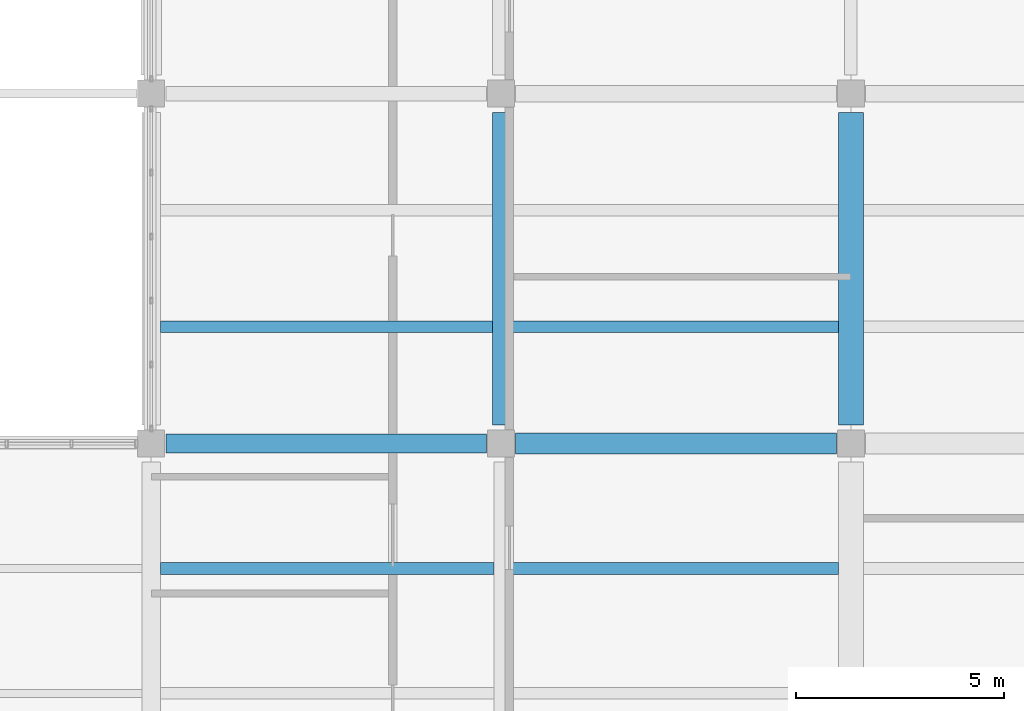
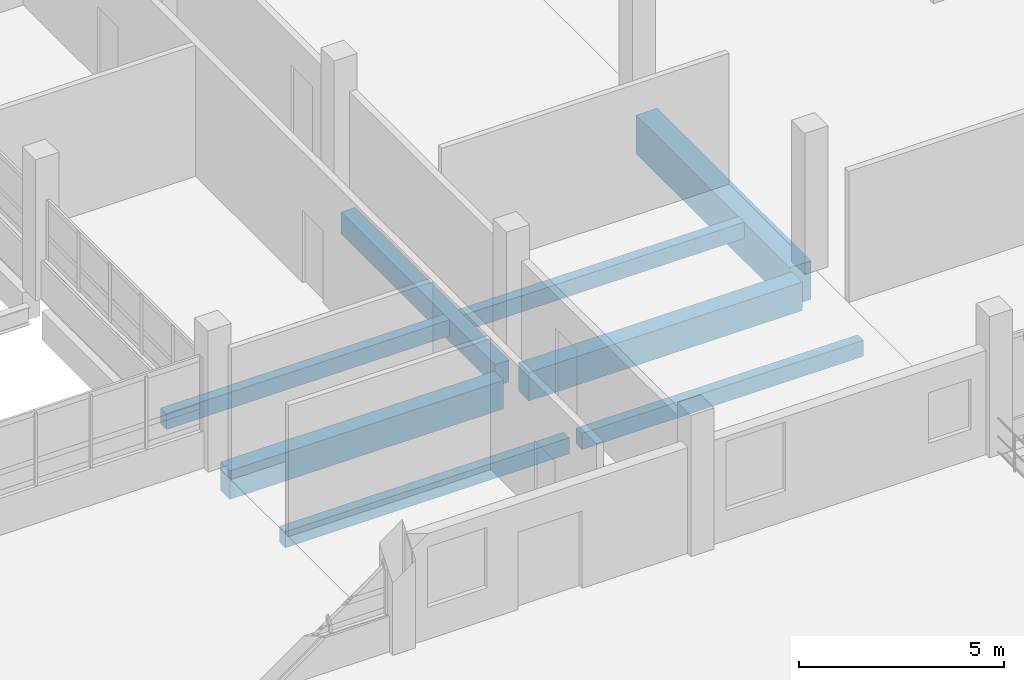
# One storey, part 23 of 101: 8 beams.
"""IFC4 building model written with IfcOpenShell, lengths in metres."""

import ifcopenshell
import ifcopenshell.guid

model = None  # the IFC model being written
_history = None  # IfcOwnerHistory: only IFC2X3 demands one
_inside = {}  # id of a spatial element -> (the spatial element, [elements in it])
_under = {}  # id of a project, library or spatial element -> (it, [spatial elements below it])
_declared = {}  # id of a project -> (the project, [libraries it declares])
_typed = {}  # id of a type object -> (the type object, [elements of that type])
_made_of = {}  # id of a material, layer set ... -> (it, [elements and type objects made of it])


def new_model(schema):
    """Start an empty IFC model of exactly this schema.

    Asked for "IFC4X3", IfcOpenShell would pick the latest addendum, in which some entities
    have other attributes; the version numbers below select the first issue.
    IFC2X3 requires an IfcOwnerHistory on every rooted entity: one is made here for all.
    """
    global model, _history
    if schema == "IFC4X3":
        model = ifcopenshell.file(schema_version=(4, 3, 0, 0))
    else:
        model = ifcopenshell.file(schema=schema)
    _inside.clear()
    _under.clear()
    _declared.clear()
    _typed.clear()
    _made_of.clear()
    _history = None
    if model.schema == "IFC2X3":
        org = make("IfcOrganization", Name="unknown")
        user = make(
            "IfcPersonAndOrganization",
            ThePerson=make("IfcPerson", FamilyName="unknown"),
            TheOrganization=org,
        )
        app = make(
            "IfcApplication",
            ApplicationDeveloper=org,
            Version="unknown",
            ApplicationFullName="unknown",
            ApplicationIdentifier="unknown",
        )
        _history = make(
            "IfcOwnerHistory",
            OwningUser=user,
            OwningApplication=app,
            ChangeAction="ADDED",
            CreationDate=0,
        )
    return model


def make(cls, **values):
    """One entity of the class cls with the attributes given. An attribute that is None is left unset."""
    return model.create_entity(
        cls, **{name: value for name, value in values.items() if value is not None}
    )


def rooted(cls, **values):
    """An entity with a GlobalId (a new one), such as an element, a storey or a relation."""
    return make(cls, GlobalId=ifcopenshell.guid.new(), OwnerHistory=_history, **values)


def si_unit(unit_type, name, prefix=None):
    """IfcSIUnit, for example si_unit("LENGTHUNIT", "METRE", prefix="MILLI")."""
    return make("IfcSIUnit", UnitType=unit_type, Prefix=prefix, Name=name)


def assignment(units):
    """IfcUnitAssignment: the units of a project."""
    return None if units is None else make("IfcUnitAssignment", Units=units)


def point(xyz):
    """IfcCartesianPoint."""
    return None if xyz is None else make("IfcCartesianPoint", Coordinates=xyz)


def direction(xyz):
    """IfcDirection."""
    return None if xyz is None else make("IfcDirection", DirectionRatios=xyz)


def frame(location, z_axis=None, x_axis=None):
    """IfcAxis2Placement3D, a coordinate frame: its origin and axes. An axis left out is left unset."""
    return make(
        "IfcAxis2Placement3D",
        Location=point(location),
        Axis=direction(z_axis),
        RefDirection=direction(x_axis),
    )


def frame_2d(location, x_axis=None):
    """IfcAxis2Placement2D, a coordinate frame in the plane: its origin and x axis."""
    return make(
        "IfcAxis2Placement2D", Location=point(location), RefDirection=direction(x_axis)
    )


def origin():
    """The frame at (0, 0, 0) with its axes left unset."""
    return frame((0.0, 0.0, 0.0))


def origin_2d():
    """The frame at (0, 0) in the plane with its x axis left unset."""
    return frame_2d((0.0, 0.0))


def place(relative_to, where):
    """IfcLocalPlacement: puts the frame where relative to a parent placement (None: the world)."""
    return make(
        "IfcLocalPlacement", PlacementRelTo=relative_to, RelativePlacement=where
    )


def context(
    kind, dimensions, precision=None, world=None, true_north=None, identifier=None
):
    """IfcGeometricRepresentationContext, for example the 3D "Model" context."""
    return make(
        "IfcGeometricRepresentationContext",
        ContextIdentifier=identifier,
        ContextType=kind,
        CoordinateSpaceDimension=dimensions,
        Precision=precision,
        WorldCoordinateSystem=world,
        TrueNorth=true_north,
    )


def subcontext(parent, identifier, kind, view, scale=None):
    """IfcGeometricRepresentationSubContext, for example "Body" below "Model"."""
    return make(
        "IfcGeometricRepresentationSubContext",
        ContextIdentifier=identifier,
        ContextType=kind,
        ParentContext=parent,
        TargetScale=scale,
        TargetView=view,
    )


def project(units=None, contexts=None):
    """IfcProject with its units and contexts."""
    return rooted(
        "IfcProject",
        Name="project",
        RepresentationContexts=contexts,
        UnitsInContext=assignment(units),
    )


def spatial(cls, under=None, at=None, **own):
    """A site, building, storey or space (cls), placed at a placement, below another one or the project."""
    s = rooted(cls, ObjectPlacement=at, **own)
    if under is not None:
        _under.setdefault(under.id(), (under, []))[1].append(s)
    return s


def profile(cls, at=None, kind="AREA", **sizes):
    """A parametric profile (cls). Its sizes go by their IFC names, for example OverallWidth=200.0."""
    return make(cls, ProfileType=kind, Position=at, **sizes)


def rectangle(**sizes):
    """IfcRectangleProfileDef."""
    return profile("IfcRectangleProfileDef", **sizes)


def extrude(swept, where, along, depth):
    """IfcExtrudedAreaSolid: the profile swept, set in the frame where, extruded along a direction by depth."""
    return make(
        "IfcExtrudedAreaSolid",
        SweptArea=swept,
        Position=where,
        ExtrudedDirection=direction(along),
        Depth=depth,
    )


def shape(context_of_items, identifier, shape_type, items):
    """IfcShapeRepresentation: the items that make up one representation, for example the "Body"."""
    return make(
        "IfcShapeRepresentation",
        ContextOfItems=context_of_items,
        RepresentationIdentifier=identifier,
        RepresentationType=shape_type,
        Items=items,
    )


def material(Name=None, Category=None):
    """IfcMaterial."""
    return make("IfcMaterial", Name=Name, Category=Category)


def material_profile(
    of_material, cross_section, Name=None, Category=None, Priority=None
):
    """IfcMaterialProfile: a cross section and its material."""
    return make(
        "IfcMaterialProfile",
        Name=Name,
        Material=of_material,
        Profile=cross_section,
        Priority=Priority,
        Category=Category,
    )


def profile_set(profiles, Name=None, composite=None):
    """IfcMaterialProfileSet."""
    return make(
        "IfcMaterialProfileSet",
        Name=Name,
        MaterialProfiles=profiles,
        CompositeProfile=composite,
    )


def made_of(thing, what):
    """Note that an element or type object is made of a material, layer set ...; save() writes the relation."""
    if what is not None:
        _made_of.setdefault(what.id(), (what, []))[1].append(thing)
    return thing


def type_object(cls, material=None, **own):
    """A type object (cls), such as IfcWallType, which elements share."""
    return made_of(rooted(cls, **own), material)


def element(
    cls,
    number,
    at=None,
    inside=None,
    cuts=None,
    type_object=None,
    material=None,
    context=None,
    identifier="Body",
    shape_type=None,
    held_by="IfcProductDefinitionShape",
    body=None,
    shapes=None,
    **own,
):
    """One element of the class cls, such as IfcWall. Its Tag is "e" and its number.

    at: its placement. inside: the storey or other place that contains it. cuts: it is an
    opening in that element (IfcRelVoidsElement). A single representation is given by context,
    identifier, shape_type and body (its items); several are given by shapes. held_by: the class
    of the entity that holds the representations. save() writes the other relations.
    """
    e = rooted(cls, Tag="e%d" % number, ObjectPlacement=at, **own)
    if body is not None:
        shapes = [shape(context, identifier, shape_type, body)]
    if shapes is not None:
        e.Representation = make(held_by, Representations=shapes)
    if inside is not None:
        _inside.setdefault(inside.id(), (inside, []))[1].append(e)
    if cuts is not None:
        rooted(
            "IfcRelVoidsElement", RelatingBuildingElement=cuts, RelatedOpeningElement=e
        )
    if type_object is not None:
        _typed.setdefault(type_object.id(), (type_object, []))[1].append(e)
    return made_of(e, material)


def aggregate(whole, parts):
    """IfcRelAggregates: a whole, such as a stair, and the parts it consists of."""
    return rooted("IfcRelAggregates", RelatingObject=whole, RelatedObjects=parts)


def save(model, path):
    """Write the relations noted so far, then the file.

    IfcRelAggregates (storeys below a building ...), IfcRelContainedInSpatialStructure (elements
    in a storey), IfcRelDefinesByType, IfcRelAssociatesMaterial and IfcRelDeclares: one each for
    every whole, place, type object, material and project.
    """
    for whole, parts in _under.values():
        aggregate(whole, parts)
    for where, things in _inside.values():
        rooted(
            "IfcRelContainedInSpatialStructure",
            RelatedElements=things,
            RelatingStructure=where,
        )
    for kind, things in _typed.values():
        rooted("IfcRelDefinesByType", RelatedObjects=things, RelatingType=kind)
    for what, things in _made_of.values():
        rooted("IfcRelAssociatesMaterial", RelatedObjects=things, RelatingMaterial=what)
    for by, libraries in _declared.values():
        rooted("IfcRelDeclares", RelatingContext=by, RelatedDefinitions=libraries)
    model.write(path)


model = new_model("IFC4")

# Units and contexts
model_context = context("Model", 3, precision=1e-05, world=origin(), true_north=direction((0.0, 1.0)))
body_context = subcontext(model_context, "Body", "Model", "MODEL_VIEW")
ifc_project = project(units=[si_unit("LENGTHUNIT", "METRE"), si_unit("AREAUNIT", "SQUARE_METRE"), si_unit("VOLUMEUNIT", "CUBIC_METRE"), si_unit("PLANEANGLEUNIT", "RADIAN"), si_unit("MASSUNIT", "GRAM", prefix="KILO")], contexts=[model_context])

# Site, building, storey
site_placement = place(None, origin())
site = spatial("IfcSite", under=ifc_project, at=site_placement, CompositionType="ELEMENT")
building_placement = place(site_placement, origin())
building = spatial("IfcBuilding", under=site, at=building_placement, Name="Vireocrest Preparatory School", CompositionType="ELEMENT")
storey_placement = place(building_placement, frame((0.0, 0.0, 4.800048828125)))
storey = spatial("IfcBuildingStorey", under=building, at=storey_placement, Name="L01", CompositionType="ELEMENT", Elevation=4.800048828125)

# Beams
ifc_material = material(Name="Concrete 40 MPa", Category="concrete")
ifc_material_profile_1 = material_profile(ifc_material, rectangle(XDim=0.449951171875, YDim=0.85009765625, at=origin_2d()), Name="RC 450x850")
ifc_profile_set_1 = profile_set([ifc_material_profile_1], Name="Concrete 40 MPa")
beam_type_1 = type_object("IfcBeamType", Name="RC Heavy Floor Girder 450x850", PredefinedType="BEAM", material=ifc_profile_set_1)
beam_1_placement = place(storey_placement, frame((92.75, 27.0, -0.68505859375), z_axis=(1.0, 0.0, 0.0), x_axis=(0.0, 1.0, 0.0)))
element("IfcBeam", 1, at=beam_1_placement, inside=storey, type_object=beam_type_1, Name="Primary Girder B13 L01-0281", PredefinedType="BEAM", context=body_context, shape_type="SweptSolid", body=[
    extrude(rectangle(XDim=0.449951171875, YDim=0.85009765625, at=origin_2d()), origin(), (0.0, 0.0, 1.0), 7.699951171875),
])
ifc_material_profile_2 = material_profile(ifc_material, rectangle(XDim=0.60009765625, YDim=1.14990234375, at=origin_2d()), Name="RC 600x1150")
ifc_profile_set_2 = profile_set([ifc_material_profile_2], Name="Concrete 40 MPa")
beam_type_2 = type_object("IfcBeamType", Name="RC Heavy Transfer Girder 600x1150", PredefinedType="BEAM", material=ifc_profile_set_2)
beam_2_placement = place(storey_placement, frame((109.199951171875, 27.449951171875, -0.85498046875), z_axis=(0.0, 1.0, 0.0), x_axis=(-1.0, 0.0, 0.0)))
element("IfcBeam", 2, at=beam_2_placement, inside=storey, type_object=beam_type_2, Name="Primary Girder B20 L01-0463", PredefinedType="BEAM", context=body_context, shape_type="SweptSolid", body=[
    extrude(rectangle(XDim=0.60009765625, YDim=1.14990234375, at=origin_2d()), origin(), (0.0, 0.0, 1.0), 7.5),
])
ifc_material_profile_3 = material_profile(ifc_material, rectangle(XDim=0.39990234375, YDim=0.64990234375, at=origin_2d()), Name="RC 400x650")
ifc_profile_set_3 = profile_set([ifc_material_profile_3], Name="Concrete 40 MPa")
beam_type_3 = type_object("IfcBeamType", Name="RC Laboratory Girder 400x650", PredefinedType="BEAM", material=ifc_profile_set_3)
beam_3_placement = place(storey_placement, frame((100.800048828125, 27.449951171875, -0.5849609375), z_axis=(0.0, 1.0, 0.0), x_axis=(-1.0, 0.0, 0.0)))
element("IfcBeam", 3, at=beam_3_placement, inside=storey, type_object=beam_type_3, Name="Primary Girder B07 L01-0450", PredefinedType="BEAM", context=body_context, shape_type="SweptSolid", body=[
    extrude(rectangle(XDim=0.39990234375, YDim=0.64990234375, at=origin_2d()), origin(), (0.0, 0.0, 1.0), 7.5),
])
ifc_material_profile_4 = material_profile(ifc_material, rectangle(XDim=0.5, YDim=0.85009765625, at=origin_2d()), Name="RC 500x850")
ifc_profile_set_4 = profile_set([ifc_material_profile_4], Name="Concrete 40 MPa")
beam_type_4 = type_object("IfcBeamType", Name="RC Podium Girder 500x850", PredefinedType="BEAM", material=ifc_profile_set_4)
beam_4_placement = place(storey_placement, frame((101.14990234375, 27.0, -0.68505859375), z_axis=(1.0, 0.0, 0.0), x_axis=(0.0, 1.0, 0.0)))
element("IfcBeam", 4, at=beam_4_placement, inside=storey, type_object=beam_type_4, Name="Primary Girder B14 L01-0282", PredefinedType="BEAM", context=body_context, shape_type="SweptSolid", body=[
    extrude(rectangle(XDim=0.5, YDim=0.85009765625, at=origin_2d()), origin(), (0.0, 0.0, 1.0), 7.7001953125),
])
ifc_material_profile_5 = material_profile(ifc_material, rectangle(XDim=0.280029296875, YDim=0.47998046875, at=origin_2d()), Name="RC 280x480")
ifc_profile_set_5 = profile_set([ifc_material_profile_5], Name="Concrete 40 MPa")
beam_type_5 = type_object("IfcBeamType", Name="RC Secondary Lab Joist 280x480", PredefinedType="JOIST", material=ifc_profile_set_5)
beam_5_placement = place(storey_placement, frame((92.625, 24.0, -0.5), z_axis=(1.0, 0.0, 0.0), x_axis=(0.0, 1.0, 0.0)))
element("IfcBeam", 5, at=beam_5_placement, inside=storey, type_object=beam_type_5, Name="Secondary Joist J02 L01-0588", PredefinedType="JOIST", context=body_context, shape_type="SweptSolid", body=[
    extrude(rectangle(XDim=0.280029296875, YDim=0.47998046875, at=origin_2d()), origin(), (0.0, 0.0, 1.0), 8.0),
])
beam_6_placement = place(storey_placement, frame((92.625, 29.800048828125, -0.5), z_axis=(1.0, 0.0, 0.0), x_axis=(0.0, 1.0, 0.0)))
element("IfcBeam", 6, at=beam_6_placement, inside=storey, type_object=beam_type_5, Name="Secondary Joist J02 L01-0589", PredefinedType="JOIST", context=body_context, shape_type="SweptSolid", body=[
    extrude(rectangle(XDim=0.280029296875, YDim=0.47998046875, at=origin_2d()), origin(), (0.0, 0.0, 1.0), 7.97509765625),
])
beam_7_placement = place(storey_placement, frame((100.97509765625, 24.0, -0.5), z_axis=(1.0, 0.0, 0.0), x_axis=(0.0, 1.0, 0.0)))
element("IfcBeam", 7, at=beam_7_placement, inside=storey, type_object=beam_type_5, Name="Secondary Joist J02 L01-0610", PredefinedType="JOIST", context=body_context, shape_type="SweptSolid", body=[
    extrude(rectangle(XDim=0.280029296875, YDim=0.47998046875, at=origin_2d()), origin(), (0.0, 0.0, 1.0), 7.9248046875),
])
beam_8_placement = place(storey_placement, frame((101.0, 29.800048828125, -0.5), z_axis=(1.0, 0.0, 0.0), x_axis=(0.0, 1.0, 0.0)))
element("IfcBeam", 8, at=beam_8_placement, inside=storey, type_object=beam_type_5, Name="Secondary Joist J02 L01-0611", PredefinedType="JOIST", context=body_context, shape_type="SweptSolid", body=[
    extrude(rectangle(XDim=0.280029296875, YDim=0.47998046875, at=origin_2d()), origin(), (0.0, 0.0, 1.0), 7.89990234375),
])

save(model, "model.ifc")
